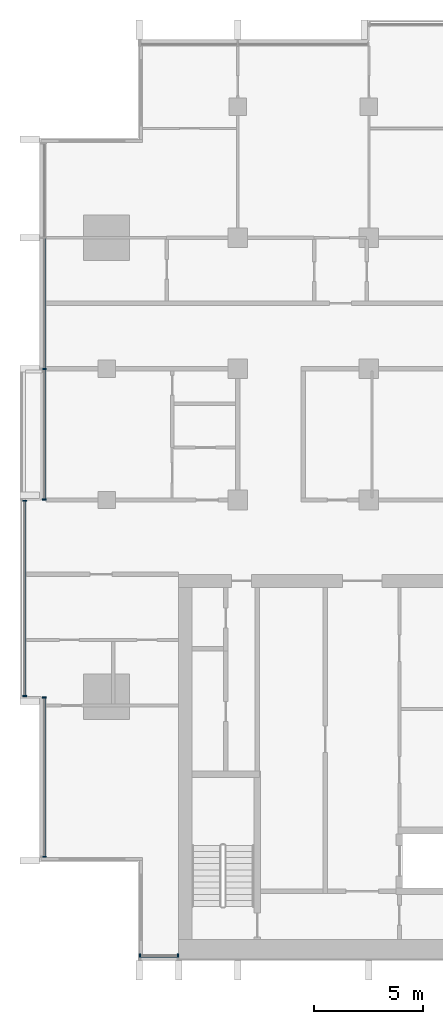
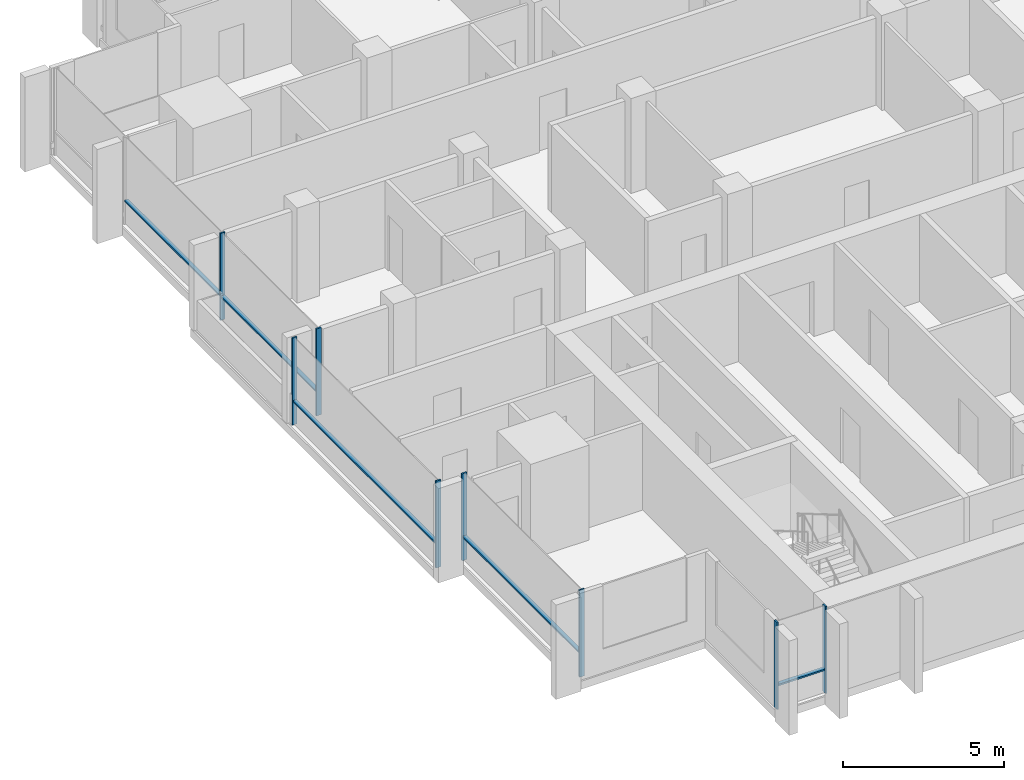
# One storey, part 2 of 16: 13 members, 4 elements without a shape of their own.
"""IFC4 building model written with IfcOpenShell, lengths in metres."""

from ifc_helpers import new_model, si_unit, direction, frame, origin, origin_2d, place, context, subcontext, project, spatial, rectangle, extrude, material, material_profile, profile_set, type_object, element, aggregate, save


model = new_model("IFC4")

# Units and contexts
model_context = context("Model", 3, precision=1e-05, world=origin(), true_north=direction((0.0, 1.0)))
body_context = subcontext(model_context, "Body", "Model", "MODEL_VIEW")
ifc_project = project(units=[si_unit("LENGTHUNIT", "METRE"), si_unit("AREAUNIT", "SQUARE_METRE"), si_unit("VOLUMEUNIT", "CUBIC_METRE"), si_unit("PLANEANGLEUNIT", "RADIAN"), si_unit("MASSUNIT", "GRAM", prefix="KILO")], contexts=[model_context])

# Site, building, storey
site_placement = place(None, origin())
site = spatial("IfcSite", under=ifc_project, at=site_placement, CompositionType="ELEMENT")
building_placement = place(site_placement, origin())
building = spatial("IfcBuilding", under=site, at=building_placement, Name="Finial Court Residences", CompositionType="ELEMENT")
storey_placement = place(building_placement, frame((0.0, 0.0, 241.10009765625)))
storey = spatial("IfcBuildingStorey", under=building, at=storey_placement, Name="L61", CompositionType="ELEMENT", Elevation=241.10009765625)

# Curtain wall, members
ifc_material = material(Name="Bronze anodised aluminium", Category="aluminium")
curtain_wall_type = type_object("IfcCurtainWallType", Name="Unitised curtain wall, upper zones", PredefinedType="NOTDEFINED", material=ifc_material)
curtain_wall_1_placement = place(storey_placement, origin())
curtain_wall_1 = element("IfcCurtainWall", 1, at=curtain_wall_1_placement, inside=storey, type_object=curtain_wall_type, Name="E-L61-CW-S7", PredefinedType="NOTDEFINED")
ifc_material_profile_1 = material_profile(ifc_material, rectangle(XDim=0.175048828125, YDim=0.06005859375, at=origin_2d()), Name="CW2 mullion 60 x 175")
ifc_profile_set_1 = profile_set([ifc_material_profile_1], Name="Bronze anodised aluminium")
member_type_1 = type_object("IfcMemberType", Name="CW2 mullion 60 x 175", PredefinedType="MULLION", material=ifc_profile_set_1)
member_1_placement = place(storey_placement, frame((-14.969970703125, -25.35009765625, 0.0), z_axis=(0.0, 0.0, 1.0), x_axis=(0.0, 1.0, 0.0)))
member_1 = element("IfcMember", 2, at=member_1_placement, type_object=member_type_1, Name="CW2 mullion 1", PredefinedType="MULLION", context=body_context, shape_type="SweptSolid", body=[
    extrude(rectangle(XDim=0.175048828125, YDim=0.06005859375, at=origin_2d()), origin(), (0.0, 0.0, 1.0), 3.2998046875),
])
member_2_placement = place(storey_placement, frame((-13.22998046875, -25.35009765625, 0.0), z_axis=(0.0, 0.0, 1.0), x_axis=(0.0, 1.0, 0.0)))
member_2 = element("IfcMember", 3, at=member_2_placement, type_object=member_type_1, Name="CW2 mullion 2", PredefinedType="MULLION", context=body_context, shape_type="SweptSolid", body=[
    extrude(rectangle(XDim=0.175048828125, YDim=0.06005859375, at=origin_2d()), origin(), (0.0, 0.0, 1.0), 3.2998046875),
])

curtain_wall_2_placement = place(storey_placement, origin())
curtain_wall_2 = element("IfcCurtainWall", 4, at=curtain_wall_2_placement, inside=storey, type_object=curtain_wall_type, Name="E-L61-CW-W9", PredefinedType="NOTDEFINED")
member_3_placement = place(storey_placement, frame((-19.35009765625, -20.820068359375, 0.0), z_axis=(0.0, 0.0, 1.0), x_axis=(-1.0, 0.0, 0.0)))
member_3 = element("IfcMember", 5, at=member_3_placement, type_object=member_type_1, Name="CW2 mullion 1", PredefinedType="MULLION", context=body_context, shape_type="SweptSolid", body=[
    extrude(rectangle(XDim=0.175048828125, YDim=0.06005859375, at=origin_2d()), origin(), (0.0, 0.0, 1.0), 3.2998046875),
])
member_4_placement = place(storey_placement, frame((-19.35009765625, -13.530029296875, 0.0), z_axis=(0.0, 0.0, 1.0), x_axis=(-1.0, 0.0, 0.0)))
member_4 = element("IfcMember", 6, at=member_4_placement, type_object=member_type_1, Name="CW2 mullion 2", PredefinedType="MULLION", context=body_context, shape_type="SweptSolid", body=[
    extrude(rectangle(XDim=0.175048828125, YDim=0.06005859375, at=origin_2d()), origin(), (0.0, 0.0, 1.0), 3.2998046875),
])

curtain_wall_3_placement = place(storey_placement, origin())
curtain_wall_3 = element("IfcCurtainWall", 7, at=curtain_wall_3_placement, inside=storey, type_object=curtain_wall_type, Name="E-L61-CW-W10", PredefinedType="NOTDEFINED")
member_5_placement = place(storey_placement, frame((-20.25, -13.469970703125, 0.0), z_axis=(0.0, 0.0, 1.0), x_axis=(-1.0, 0.0, 0.0)))
member_5 = element("IfcMember", 8, at=member_5_placement, type_object=member_type_1, Name="CW2 mullion 1", PredefinedType="MULLION", context=body_context, shape_type="SweptSolid", body=[
    extrude(rectangle(XDim=0.175048828125, YDim=0.06005859375, at=origin_2d()), origin(), (0.0, 0.0, 1.0), 3.2998046875),
])
member_6_placement = place(storey_placement, frame((-20.25, -4.530029296875, 0.0), z_axis=(0.0, 0.0, 1.0), x_axis=(-1.0, 0.0, 0.0)))
member_6 = element("IfcMember", 9, at=member_6_placement, type_object=member_type_1, Name="CW2 mullion 2", PredefinedType="MULLION", context=body_context, shape_type="SweptSolid", body=[
    extrude(rectangle(XDim=0.175048828125, YDim=0.06005859375, at=origin_2d()), origin(), (0.0, 0.0, 1.0), 3.2998046875),
])

curtain_wall_4_placement = place(storey_placement, origin())
curtain_wall_4 = element("IfcCurtainWall", 10, at=curtain_wall_4_placement, inside=storey, type_object=curtain_wall_type, Name="E-L61-CW-W11", PredefinedType="NOTDEFINED")
member_7_placement = place(storey_placement, frame((-19.35009765625, -4.469970703125, 0.0), z_axis=(0.0, 0.0, 1.0), x_axis=(-1.0, 0.0, 0.0)))
member_7 = element("IfcMember", 11, at=member_7_placement, type_object=member_type_1, Name="CW2 mullion 1", PredefinedType="MULLION", context=body_context, shape_type="SweptSolid", body=[
    extrude(rectangle(XDim=0.175048828125, YDim=0.06005859375, at=origin_2d()), origin(), (0.0, 0.0, 1.0), 3.2998046875),
])
member_8_placement = place(storey_placement, frame((-19.35009765625, 1.5, 0.0), z_axis=(0.0, 0.0, 1.0), x_axis=(-1.0, 0.0, 0.0)))
member_8 = element("IfcMember", 12, at=member_8_placement, type_object=member_type_1, Name="CW2 mullion 2", PredefinedType="MULLION", context=body_context, shape_type="SweptSolid", body=[
    extrude(rectangle(XDim=0.175048828125, YDim=0.06005859375, at=origin_2d()), origin(), (0.0, 0.0, 1.0), 3.2998046875),
])

# Member
ifc_material_profile_2 = material_profile(ifc_material, rectangle(XDim=0.139892578125, YDim=0.06005859375, at=origin_2d()), Name="CW2 transom 60 x 140")
ifc_profile_set_2 = profile_set([ifc_material_profile_2], Name="Bronze anodised aluminium")
member_type_2 = type_object("IfcMemberType", Name="CW2 transom 60 x 140", PredefinedType="USERDEFINED", material=ifc_profile_set_2)
member_9_placement = place(storey_placement, frame((-14.93994140625, -25.35009765625, 0.89990234375), z_axis=(1.0, 0.0, 0.0), x_axis=(0.0, 1.0, 0.0)))
member_9 = element("IfcMember", 13, at=member_9_placement, type_object=member_type_2, Name="CW2 transom 1.1", ObjectType="TRANSOM", PredefinedType="USERDEFINED", context=body_context, shape_type="SweptSolid", body=[
    extrude(rectangle(XDim=0.139892578125, YDim=0.06005859375, at=origin_2d()), origin(), (0.0, 0.0, 1.0), 1.679931640625),
])

aggregate(curtain_wall_1, [member_1, member_2, member_9])

member_10_placement = place(storey_placement, frame((-19.35009765625, -20.7900390625, 0.89990234375), z_axis=(0.0, 1.0, 0.0), x_axis=(-1.0, 0.0, 0.0)))
member_10 = element("IfcMember", 14, at=member_10_placement, type_object=member_type_2, Name="CW2 transom 1.1", ObjectType="TRANSOM", PredefinedType="USERDEFINED", context=body_context, shape_type="SweptSolid", body=[
    extrude(rectangle(XDim=0.139892578125, YDim=0.06005859375, at=origin_2d()), origin(), (0.0, 0.0, 1.0), 7.22998046875),
])

aggregate(curtain_wall_2, [member_3, member_4, member_10])

member_11_placement = place(storey_placement, frame((-20.25, -13.43994140625, 0.89990234375), z_axis=(0.0, 1.0, 0.0), x_axis=(-1.0, 0.0, 0.0)))
member_11 = element("IfcMember", 15, at=member_11_placement, type_object=member_type_2, Name="CW2 transom 1.1", ObjectType="TRANSOM", PredefinedType="USERDEFINED", context=body_context, shape_type="SweptSolid", body=[
    extrude(rectangle(XDim=0.139892578125, YDim=0.06005859375, at=origin_2d()), origin(), (0.0, 0.0, 1.0), 8.8798828125),
])

aggregate(curtain_wall_3, [member_5, member_6, member_11])

member_12_placement = place(storey_placement, frame((-19.35009765625, -4.43994140625, 0.89990234375), z_axis=(0.0, 1.0, 0.0), x_axis=(-1.0, 0.0, 0.0)))
member_12 = element("IfcMember", 16, at=member_12_placement, type_object=member_type_2, Name="CW2 transom 1.1", ObjectType="TRANSOM", PredefinedType="USERDEFINED", context=body_context, shape_type="SweptSolid", body=[
    extrude(rectangle(XDim=0.139892578125, YDim=0.06005859375, at=origin_2d()), origin(), (0.0, 0.0, 1.0), 5.909912109375),
])

member_13_placement = place(storey_placement, frame((-19.35009765625, 1.530029296875, 0.89990234375), z_axis=(0.0, 1.0, 0.0), x_axis=(-1.0, 0.0, 0.0)))
member_13 = element("IfcMember", 17, at=member_13_placement, type_object=member_type_2, Name="CW2 transom 2.1", ObjectType="TRANSOM", PredefinedType="USERDEFINED", context=body_context, shape_type="SweptSolid", body=[
    extrude(rectangle(XDim=0.139892578125, YDim=0.06005859375, at=origin_2d()), origin(), (0.0, 0.0, 1.0), 5.93994140625),
])

aggregate(curtain_wall_4, [member_7, member_8, member_12, member_13])

save(model, "model.ifc")
